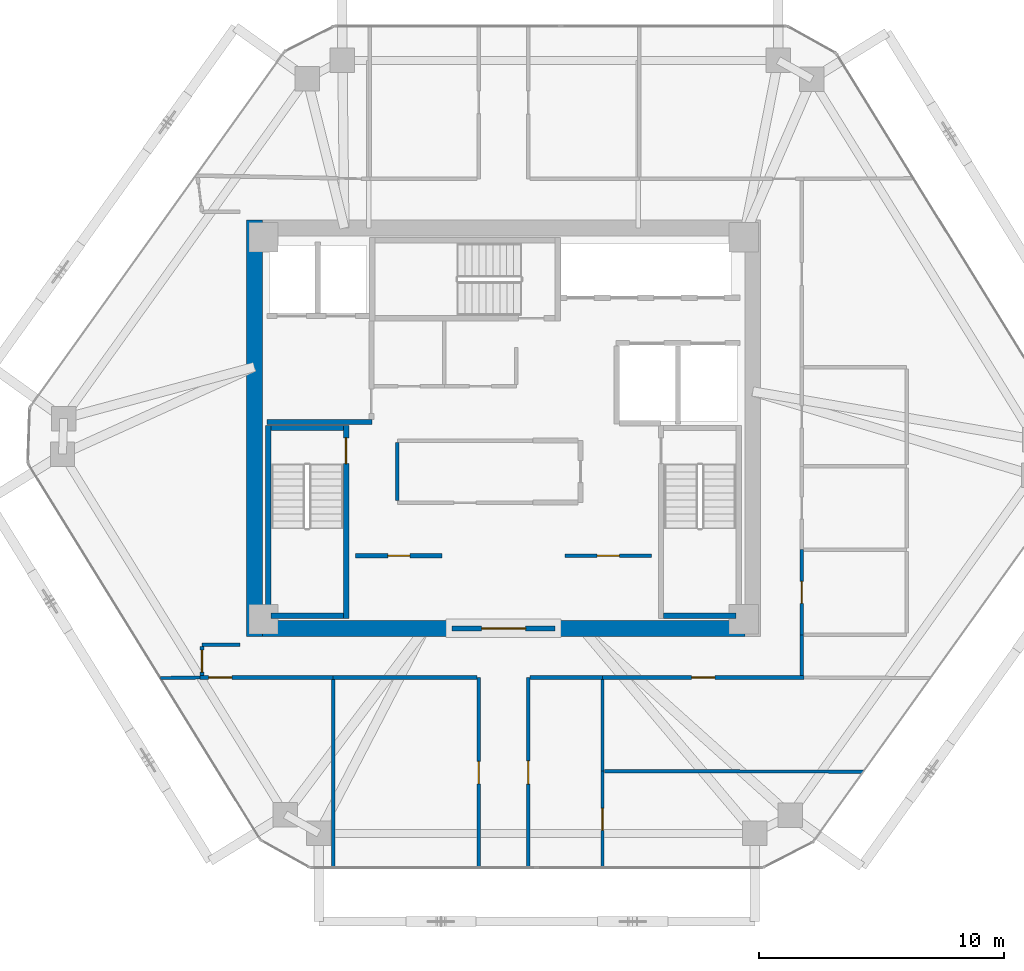
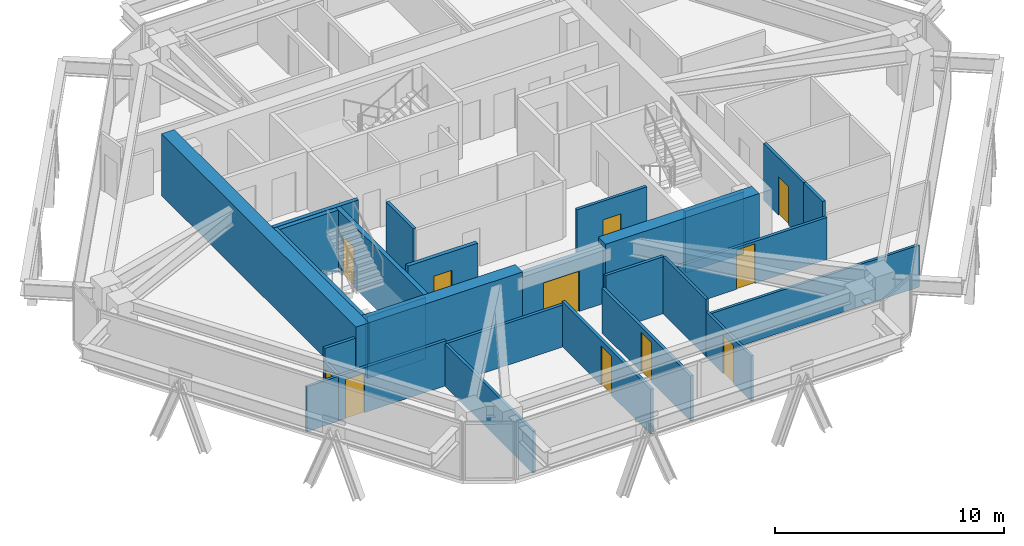
# One storey, part 10 of 14: 28 walls, 11 doors, 11 openings.
"""IFC4 building model written with IfcOpenShell, lengths in metres."""

import ifcopenshell
import ifcopenshell.guid

model = None  # the IFC model being written
_history = None  # IfcOwnerHistory: only IFC2X3 demands one
_inside = {}  # id of a spatial element -> (the spatial element, [elements in it])
_under = {}  # id of a project, library or spatial element -> (it, [spatial elements below it])
_declared = {}  # id of a project -> (the project, [libraries it declares])
_typed = {}  # id of a type object -> (the type object, [elements of that type])
_made_of = {}  # id of a material, layer set ... -> (it, [elements and type objects made of it])


def new_model(schema):
    """Start an empty IFC model of exactly this schema.

    Asked for "IFC4X3", IfcOpenShell would pick the latest addendum, in which some entities
    have other attributes; the version numbers below select the first issue.
    IFC2X3 requires an IfcOwnerHistory on every rooted entity: one is made here for all.
    """
    global model, _history
    if schema == "IFC4X3":
        model = ifcopenshell.file(schema_version=(4, 3, 0, 0))
    else:
        model = ifcopenshell.file(schema=schema)
    _inside.clear()
    _under.clear()
    _declared.clear()
    _typed.clear()
    _made_of.clear()
    _history = None
    if model.schema == "IFC2X3":
        org = make("IfcOrganization", Name="unknown")
        user = make(
            "IfcPersonAndOrganization",
            ThePerson=make("IfcPerson", FamilyName="unknown"),
            TheOrganization=org,
        )
        app = make(
            "IfcApplication",
            ApplicationDeveloper=org,
            Version="unknown",
            ApplicationFullName="unknown",
            ApplicationIdentifier="unknown",
        )
        _history = make(
            "IfcOwnerHistory",
            OwningUser=user,
            OwningApplication=app,
            ChangeAction="ADDED",
            CreationDate=0,
        )
    return model


def make(cls, **values):
    """One entity of the class cls with the attributes given. An attribute that is None is left unset."""
    return model.create_entity(
        cls, **{name: value for name, value in values.items() if value is not None}
    )


def rooted(cls, **values):
    """An entity with a GlobalId (a new one), such as an element, a storey or a relation."""
    return make(cls, GlobalId=ifcopenshell.guid.new(), OwnerHistory=_history, **values)


def si_unit(unit_type, name, prefix=None):
    """IfcSIUnit, for example si_unit("LENGTHUNIT", "METRE", prefix="MILLI")."""
    return make("IfcSIUnit", UnitType=unit_type, Prefix=prefix, Name=name)


def assignment(units):
    """IfcUnitAssignment: the units of a project."""
    return None if units is None else make("IfcUnitAssignment", Units=units)


def point(xyz):
    """IfcCartesianPoint."""
    return None if xyz is None else make("IfcCartesianPoint", Coordinates=xyz)


def direction(xyz):
    """IfcDirection."""
    return None if xyz is None else make("IfcDirection", DirectionRatios=xyz)


def frame(location, z_axis=None, x_axis=None):
    """IfcAxis2Placement3D, a coordinate frame: its origin and axes. An axis left out is left unset."""
    return make(
        "IfcAxis2Placement3D",
        Location=point(location),
        Axis=direction(z_axis),
        RefDirection=direction(x_axis),
    )


def frame_2d(location, x_axis=None):
    """IfcAxis2Placement2D, a coordinate frame in the plane: its origin and x axis."""
    return make(
        "IfcAxis2Placement2D", Location=point(location), RefDirection=direction(x_axis)
    )


def origin():
    """The frame at (0, 0, 0) with its axes left unset."""
    return frame((0.0, 0.0, 0.0))


def place(relative_to, where):
    """IfcLocalPlacement: puts the frame where relative to a parent placement (None: the world)."""
    return make(
        "IfcLocalPlacement", PlacementRelTo=relative_to, RelativePlacement=where
    )


def context(
    kind, dimensions, precision=None, world=None, true_north=None, identifier=None
):
    """IfcGeometricRepresentationContext, for example the 3D "Model" context."""
    return make(
        "IfcGeometricRepresentationContext",
        ContextIdentifier=identifier,
        ContextType=kind,
        CoordinateSpaceDimension=dimensions,
        Precision=precision,
        WorldCoordinateSystem=world,
        TrueNorth=true_north,
    )


def subcontext(parent, identifier, kind, view, scale=None):
    """IfcGeometricRepresentationSubContext, for example "Body" below "Model"."""
    return make(
        "IfcGeometricRepresentationSubContext",
        ContextIdentifier=identifier,
        ContextType=kind,
        ParentContext=parent,
        TargetScale=scale,
        TargetView=view,
    )


def project(units=None, contexts=None):
    """IfcProject with its units and contexts."""
    return rooted(
        "IfcProject",
        Name="project",
        RepresentationContexts=contexts,
        UnitsInContext=assignment(units),
    )


def spatial(cls, under=None, at=None, **own):
    """A site, building, storey or space (cls), placed at a placement, below another one or the project."""
    s = rooted(cls, ObjectPlacement=at, **own)
    if under is not None:
        _under.setdefault(under.id(), (under, []))[1].append(s)
    return s


def profile(cls, at=None, kind="AREA", **sizes):
    """A parametric profile (cls). Its sizes go by their IFC names, for example OverallWidth=200.0."""
    return make(cls, ProfileType=kind, Position=at, **sizes)


def rectangle(**sizes):
    """IfcRectangleProfileDef."""
    return profile("IfcRectangleProfileDef", **sizes)


def extrude(swept, where, along, depth):
    """IfcExtrudedAreaSolid: the profile swept, set in the frame where, extruded along a direction by depth."""
    return make(
        "IfcExtrudedAreaSolid",
        SweptArea=swept,
        Position=where,
        ExtrudedDirection=direction(along),
        Depth=depth,
    )


def shape(context_of_items, identifier, shape_type, items):
    """IfcShapeRepresentation: the items that make up one representation, for example the "Body"."""
    return make(
        "IfcShapeRepresentation",
        ContextOfItems=context_of_items,
        RepresentationIdentifier=identifier,
        RepresentationType=shape_type,
        Items=items,
    )


def source(mapping_origin, context_of_items, identifier, shape_type, items):
    """IfcRepresentationMap: a shape defined once, which mapped items show again and again."""
    return make(
        "IfcRepresentationMap",
        MappingOrigin=mapping_origin,
        MappedRepresentation=shape(context_of_items, identifier, shape_type, items),
    )


def transform(
    local_origin,
    x_axis=None,
    y_axis=None,
    z_axis=None,
    scale=None,
    scale2=None,
    scale3=None,
    uniform=True,
):
    """IfcCartesianTransformationOperator3D, or its non-uniform kind. x_axis, y_axis, z_axis: its Axis1, 2, 3."""
    if uniform:
        return make(
            "IfcCartesianTransformationOperator3D",
            Axis1=direction(x_axis),
            Axis2=direction(y_axis),
            LocalOrigin=point(local_origin),
            Scale=scale,
            Axis3=direction(z_axis),
        )
    return make(
        "IfcCartesianTransformationOperator3DnonUniform",
        Axis1=direction(x_axis),
        Axis2=direction(y_axis),
        LocalOrigin=point(local_origin),
        Scale=scale,
        Axis3=direction(z_axis),
        Scale2=scale2,
        Scale3=scale3,
    )


def mapped(mapping_source, mapping_target):
    """IfcMappedItem: shows the shape of a source again, moved by a transform."""
    return make(
        "IfcMappedItem", MappingSource=mapping_source, MappingTarget=mapping_target
    )


def material(Name=None, Category=None):
    """IfcMaterial."""
    return make("IfcMaterial", Name=Name, Category=Category)


def layer(
    of_material, thickness, ventilated=None, Name=None, Category=None, Priority=None
):
    """IfcMaterialLayer: one layer of a wall or slab, of a material (None: an air gap)."""
    return make(
        "IfcMaterialLayer",
        Material=of_material,
        LayerThickness=thickness,
        IsVentilated=ventilated,
        Name=Name,
        Category=Category,
        Priority=Priority,
    )


def layer_set(layers, Name=None):
    """IfcMaterialLayerSet."""
    return make("IfcMaterialLayerSet", MaterialLayers=layers, LayerSetName=Name)


def made_of(thing, what):
    """Note that an element or type object is made of a material, layer set ...; save() writes the relation."""
    if what is not None:
        _made_of.setdefault(what.id(), (what, []))[1].append(thing)
    return thing


def type_object(cls, material=None, **own):
    """A type object (cls), such as IfcWallType, which elements share."""
    return made_of(rooted(cls, **own), material)


def type_shapes(of_type, sources):
    """Give a type object the sources (RepresentationMaps) that its elements show as mapped items."""
    of_type.RepresentationMaps = sources


def element(
    cls,
    number,
    at=None,
    inside=None,
    cuts=None,
    type_object=None,
    material=None,
    context=None,
    identifier="Body",
    shape_type=None,
    held_by="IfcProductDefinitionShape",
    body=None,
    shapes=None,
    **own,
):
    """One element of the class cls, such as IfcWall. Its Tag is "e" and its number.

    at: its placement. inside: the storey or other place that contains it. cuts: it is an
    opening in that element (IfcRelVoidsElement). A single representation is given by context,
    identifier, shape_type and body (its items); several are given by shapes. held_by: the class
    of the entity that holds the representations. save() writes the other relations.
    """
    e = rooted(cls, Tag="e%d" % number, ObjectPlacement=at, **own)
    if body is not None:
        shapes = [shape(context, identifier, shape_type, body)]
    if shapes is not None:
        e.Representation = make(held_by, Representations=shapes)
    if inside is not None:
        _inside.setdefault(inside.id(), (inside, []))[1].append(e)
    if cuts is not None:
        rooted(
            "IfcRelVoidsElement", RelatingBuildingElement=cuts, RelatedOpeningElement=e
        )
    if type_object is not None:
        _typed.setdefault(type_object.id(), (type_object, []))[1].append(e)
    return made_of(e, material)


def fill(opening, filler):
    """IfcRelFillsElement: the door or window that sits in an opening."""
    return rooted(
        "IfcRelFillsElement",
        RelatingOpeningElement=opening,
        RelatedBuildingElement=filler,
    )


def aggregate(whole, parts):
    """IfcRelAggregates: a whole, such as a stair, and the parts it consists of."""
    return rooted("IfcRelAggregates", RelatingObject=whole, RelatedObjects=parts)


def save(model, path):
    """Write the relations noted so far, then the file.

    IfcRelAggregates (storeys below a building ...), IfcRelContainedInSpatialStructure (elements
    in a storey), IfcRelDefinesByType, IfcRelAssociatesMaterial and IfcRelDeclares: one each for
    every whole, place, type object, material and project.
    """
    for whole, parts in _under.values():
        aggregate(whole, parts)
    for where, things in _inside.values():
        rooted(
            "IfcRelContainedInSpatialStructure",
            RelatedElements=things,
            RelatingStructure=where,
        )
    for kind, things in _typed.values():
        rooted("IfcRelDefinesByType", RelatedObjects=things, RelatingType=kind)
    for what, things in _made_of.values():
        rooted("IfcRelAssociatesMaterial", RelatedObjects=things, RelatingMaterial=what)
    for by, libraries in _declared.values():
        rooted("IfcRelDeclares", RelatingContext=by, RelatedDefinitions=libraries)
    model.write(path)


model = new_model("IFC4")

# Units and contexts
model_context = context("Model", 3, precision=1e-05, world=origin(), true_north=direction((0.0, 1.0)))
body_context = subcontext(model_context, "Body", "Model", "MODEL_VIEW")
ifc_project = project(units=[si_unit("LENGTHUNIT", "METRE"), si_unit("AREAUNIT", "SQUARE_METRE"), si_unit("VOLUMEUNIT", "CUBIC_METRE"), si_unit("PLANEANGLEUNIT", "RADIAN"), si_unit("MASSUNIT", "GRAM", prefix="KILO")], contexts=[model_context])

# Site, building, storey
site_placement = place(None, origin())
site = spatial("IfcSite", under=ifc_project, at=site_placement, CompositionType="ELEMENT")
building_placement = place(site_placement, origin())
building = spatial("IfcBuilding", under=site, at=building_placement, Name="Durnholm Broadcast Tower", CompositionType="ELEMENT")
storey_placement = place(building_placement, frame((0.0, 0.0, 187.0)))
storey = spatial("IfcBuildingStorey", under=building, at=storey_placement, Name="L51", CompositionType="ELEMENT", Elevation=187.0)

# Walls
ifc_material_1 = material(Name="Concrete C70/85", Category="concrete")
ifc_layer_1 = layer(ifc_material_1, 0.64990234375)
ifc_layer_set_1 = layer_set([ifc_layer_1], Name="Concrete C70/85")
wall_type_1 = type_object("IfcWallType", Name="WALL-CW-650", PredefinedType="SHEAR", material=ifc_layer_set_1)
wall_1_placement = place(storey_placement, frame((-10.175048828125, -8.5, 0.0), z_axis=(0.0, 0.0, 1.0), x_axis=(0.0, 1.0, 0.0)))
element("IfcWall", 1, at=wall_1_placement, inside=storey, type_object=wall_type_1, Name="L51 central core shear wall CW-WEST", PredefinedType="SHEAR", context=body_context, shape_type="SweptSolid", body=[
    extrude(rectangle(XDim=17.0, YDim=0.64990234375, at=frame_2d((8.5, 0.0))), origin(), (0.0, 0.0, 1.0), 3.300048828125),
])
for number, where, z_axis, x_axis, name in (
    (2, (-9.85009765625, -8.175048828125, 0.0), (0.0, 0.0, 1.0), (1.0, 0.0, 0.0), "L51 central core shear wall CW-S1"),
    (3, (2.10009765625, -8.175048828125, 0.0), (0.0, 0.0, 1.0), (1.0, 0.0, 0.0), "L51 central core shear wall CW-S2"),
):
    element("IfcWall", number, at=place(storey_placement, frame(where, z_axis=z_axis, x_axis=x_axis)), inside=storey, type_object=wall_type_1, Name=name, PredefinedType="SHEAR", context=body_context, shape_type="SweptSolid", body=[
        extrude(rectangle(XDim=7.75, YDim=0.64990234375, at=frame_2d((3.875, 0.0))), origin(), (0.0, 0.0, 1.0), 3.300048828125),
    ])

# Wall, opening, door
ifc_material_2 = material(Name="Fire-Rated Gypsum Shaftwall", Category="concrete")
ifc_layer_2 = layer(ifc_material_2, 0.199951171875)
ifc_layer_set_2 = layer_set([ifc_layer_2], Name="Fire-Rated Gypsum Shaftwall")
wall_type_2 = type_object("IfcWallType", Name="WALL-LOB-200", PredefinedType="SOLIDWALL", material=ifc_layer_set_2)
wall_2_placement = place(storey_placement, frame((-2.10009765625, -8.175048828125, 0.0), z_axis=(0.0, 0.0, 1.0), x_axis=(1.0, 0.0, 0.0)))
wall_2 = element("IfcWall", 4, at=wall_2_placement, inside=storey, type_object=wall_type_2, Name="L51 south core lobby fire screen", PredefinedType="SOLIDWALL", context=body_context, shape_type="SweptSolid", body=[
    extrude(rectangle(XDim=4.2001953125, YDim=0.199951171875, at=frame_2d((2.10009765625, 0.0))), origin(), (0.0, 0.0, 1.0), 3.044921875),
])
opening_1_placement = place(wall_2_placement, frame((1.199951171875, 0.0, 0.0)))
opening_1 = element("IfcOpeningElement", 5, at=opening_1_placement, cuts=wall_2, Name="Opening DP-60", PredefinedType="OPENING", context=body_context, shape_type="SweptSolid", body=[
    extrude(rectangle(XDim=1.800048828125, YDim=2.14990234375, at=frame_2d((0.89990234375, 1.074951171875))), frame((0.0, 0.10986328125, 0.0), z_axis=(0.0, -1.0, 0.0), x_axis=(1.0, 0.0, 0.0)), (0.0, 0.0, 1.0), 0.219970703125),
])
ifc_material_3 = material(Name="Fire-Rated Double Corridor Door", Category="steel")
ifc_layer_3 = layer(ifc_material_3, 0.050048828125)
ifc_layer_set_3 = layer_set([ifc_layer_3], Name="Fire-Rated Double Corridor Door")
door_type_1 = type_object("IfcDoorType", Name="DOOR-PAIR-FD60", OperationType="DOUBLE_DOOR_SINGLE_SWING", PredefinedType="DOOR", material=ifc_layer_set_3)
shared_shape_1 = source(origin(), body_context, "Body", "SweptSolid", [
    extrude(rectangle(XDim=1.800048828125, YDim=2.14990234375, at=frame_2d((0.89990234375, 1.074951171875))), frame((0.0, 0.02490234375, 0.0), z_axis=(0.0, -1.0, 0.0), x_axis=(1.0, 0.0, 0.0)), (0.0, 0.0, 1.0), 0.050048828125),
])
type_shapes(door_type_1, [shared_shape_1])
door_1_placement = place(opening_1_placement, origin())
door_1 = element("IfcDoor", 6, at=door_1_placement, inside=storey, type_object=door_type_1, Name="L51 south core lobby double fire door", OperationType="DOUBLE_DOOR_SINGLE_SWING", OverallHeight=2.14990234375, OverallWidth=1.800048828125, PredefinedType="DOOR", context=body_context, shape_type="MappedRepresentation", body=[
    mapped(shared_shape_1, transform((0.0, 0.0, 0.0), x_axis=(1.0, 0.0, 0.0), y_axis=(0.0, 1.0, 0.0), z_axis=(0.0, 0.0, 1.0), scale=1.0)),
])
fill(opening_1, door_1)

# Wall
wall_3_placement = place(storey_placement, frame((-9.64990234375, 0.25, 0.0), z_axis=(0.0, 0.0, 1.0), x_axis=(1.0, 0.0, 0.0)))
element("IfcWall", 7, at=wall_3_placement, inside=storey, type_object=wall_type_2, Name="L51 Fire Service Access Elevator lobby south wall", PredefinedType="SOLIDWALL", context=body_context, shape_type="SweptSolid", body=[
    extrude(rectangle(XDim=4.27001953125, YDim=0.199951171875, at=frame_2d((2.135009765625, 0.0))), origin(), (0.0, 0.0, 1.0), 3.044921875),
])

# Wall, opening, door
wall_4_placement = place(storey_placement, frame((-6.0400390625, -5.2099609375, 0.0), z_axis=(0.0, 0.0, 1.0), x_axis=(1.0, 0.0, 0.0)))
wall_4 = element("IfcWall", 8, at=wall_4_placement, inside=storey, type_object=wall_type_2, Name="L51 Broadcast Signal Rack Room corridor partition", PredefinedType="SOLIDWALL", context=body_context, shape_type="SweptSolid", body=[
    extrude(rectangle(XDim=3.530029296875, YDim=0.199951171875, at=frame_2d((1.76513671875, 0.0))), origin(), (0.0, 0.0, 1.0), 3.044921875),
])
opening_2_placement = place(wall_4_placement, frame((1.31494140625, 0.0, 0.0)))
opening_2 = element("IfcOpeningElement", 9, at=opening_2_placement, cuts=wall_4, Name="Opening DC-60R", PredefinedType="OPENING", context=body_context, shape_type="SweptSolid", body=[
    extrude(rectangle(XDim=0.89990234375, YDim=2.050048828125, at=frame_2d((0.449951171875, 1.02490234375))), frame((0.0, 0.10986328125, 0.0), z_axis=(0.0, -1.0, 0.0), x_axis=(1.0, 0.0, 0.0)), (0.0, 0.0, 1.0), 0.219970703125),
])
ifc_material_4 = material(Name="Fire-Rated Core Service Door", Category="steel")
ifc_layer_4 = layer(ifc_material_4, 0.050048828125)
ifc_layer_set_4 = layer_set([ifc_layer_4], Name="Fire-Rated Core Service Door")
door_type_2 = type_object("IfcDoorType", Name="DOOR-CORE-FD60-R", OperationType="NOTDEFINED", PredefinedType="DOOR", material=ifc_layer_set_4)
shared_shape_2 = source(origin(), body_context, "Body", "SweptSolid", [
    extrude(rectangle(XDim=0.89990234375, YDim=2.050048828125, at=frame_2d((0.449951171875, 1.02490234375))), frame((0.0, 0.02490234375, 0.0), z_axis=(0.0, -1.0, 0.0), x_axis=(1.0, 0.0, 0.0)), (0.0, 0.0, 1.0), 0.050048828125),
])
type_shapes(door_type_2, [shared_shape_2])
door_2_placement = place(opening_2_placement, origin())
door_2 = element("IfcDoor", 10, at=door_2_placement, inside=storey, type_object=door_type_2, Name="L51 Broadcast Signal Rack Room entrance door", OperationType="SINGLE_SWING_RIGHT", OverallHeight=2.050048828125, OverallWidth=0.89990234375, PredefinedType="DOOR", context=body_context, shape_type="MappedRepresentation", body=[
    mapped(shared_shape_2, transform((0.0, 0.0, 0.0), x_axis=(1.0, 0.0, 0.0), y_axis=(0.0, 1.0, 0.0), z_axis=(0.0, 0.0, 1.0), scale=1.0)),
])
fill(opening_2, door_2)

# Walls
ifc_material_5 = material(Name="Gypsum Metal Stud Partition", Category="concrete")
ifc_layer_5 = layer(ifc_material_5, 0.135009765625)
ifc_layer_set_5 = layer_set([ifc_layer_5], Name="Gypsum Metal Stud Partition")
wall_type_3 = type_object("IfcWallType", Name="WALL-PART-135", PredefinedType="PARTITIONING", material=ifc_layer_set_5)
wall_5_placement = place(storey_placement, frame((-6.9599609375, -10.259033203125, 0.0), z_axis=(0.0, 0.0, 1.0), x_axis=(0.0, -1.0, 0.0)))
element("IfcWall", 11, at=wall_5_placement, inside=storey, type_object=wall_type_3, Name="L51 room dividing partition 14.15", PredefinedType="PARTITIONING", context=body_context, shape_type="SweptSolid", body=[
    extrude(rectangle(XDim=7.682861328125, YDim=0.135009765625, at=frame_2d((3.84130859375, 0.0))), origin(), (0.0, 0.0, 1.0), 2.24169921875),
])
wall_6_placement = place(storey_placement, frame((-14.00390625, -10.200927734375, 0.0), z_axis=(0.0, 0.0, 1.0), x_axis=(0.999923084603, 0.012402615782, 0.0)))
element("IfcWall", 12, at=wall_6_placement, inside=storey, type_object=wall_type_3, Name="L51 room dividing partition 14.19", PredefinedType="PARTITIONING", context=body_context, shape_type="SweptSolid", body=[
    extrude(rectangle(XDim=1.6142578125, YDim=0.135009765625, at=frame_2d((0.80712890625, 0.0))), origin(), (0.0, 0.0, 1.0), 2.398681640625),
])

# Wall, opening, door
wall_7_placement = place(storey_placement, frame((4.0400390625, -14.0009765625, 0.0), z_axis=(0.0, 0.0, 1.0), x_axis=(0.0, -1.0, 0.0)))
wall_7 = element("IfcWall", 13, at=wall_7_placement, inside=storey, type_object=wall_type_3, Name="L51 room dividing partition 16.17", PredefinedType="PARTITIONING", context=body_context, shape_type="SweptSolid", body=[
    extrude(rectangle(XDim=3.94091796875, YDim=0.135009765625, at=frame_2d((1.970458984375, 0.0))), origin(), (0.0, 0.0, 1.0), 2.398681640625),
])
opening_3_placement = place(wall_7_placement, frame((1.5205078125, 0.0, 0.0)))
opening_3 = element("IfcOpeningElement", 14, at=opening_3_placement, cuts=wall_7, Name="Opening DW-90L", PredefinedType="OPENING", context=body_context, shape_type="SweptSolid", body=[
    extrude(rectangle(XDim=0.89990234375, YDim=2.050048828125, at=frame_2d((0.449951171875, 1.02490234375))), frame((0.0, 0.07763671875, 0.0), z_axis=(0.0, -1.0, 0.0), x_axis=(1.0, 0.0, 0.0)), (0.0, 0.0, 1.0), 0.155029296875),
])
ifc_material_6 = material(Name="Laminate Restroom Door", Category="steel")
ifc_layer_6 = layer(ifc_material_6, 0.050048828125)
ifc_layer_set_6 = layer_set([ifc_layer_6], Name="Laminate Restroom Door")
door_type_3 = type_object("IfcDoorType", Name="DOOR-WC-900L", OperationType="NOTDEFINED", PredefinedType="DOOR", material=ifc_layer_set_6)
shared_shape_3 = source(origin(), body_context, "Body", "SweptSolid", [
    extrude(rectangle(XDim=0.89990234375, YDim=2.050048828125, at=frame_2d((0.449951171875, 1.02490234375))), frame((0.0, 0.02490234375, 0.0), z_axis=(0.0, -1.0, 0.0), x_axis=(1.0, 0.0, 0.0)), (0.0, 0.0, 1.0), 0.050048828125),
])
type_shapes(door_type_3, [shared_shape_3])
door_3_placement = place(opening_3_placement, origin())
door_3 = element("IfcDoor", 15, at=door_3_placement, inside=storey, type_object=door_type_3, Name="L51 Open Plan Broadcast Workspace 3 connecting door", OperationType="SINGLE_SWING_LEFT", OverallHeight=2.050048828125, OverallWidth=0.89990234375, PredefinedType="DOOR", context=body_context, shape_type="MappedRepresentation", body=[
    mapped(shared_shape_3, transform((0.0, 0.0, 0.0), x_axis=(1.0, 0.0, 0.0), y_axis=(0.0, 1.0, 0.0), z_axis=(0.0, 0.0, 1.0), scale=1.0)),
])
fill(opening_3, door_3)

# Walls
wall_8_placement = place(storey_placement, frame((4.0400390625, -10.259033203125, 0.0), z_axis=(0.0, 0.0, 1.0), x_axis=(0.0, -1.0, 0.0)))
element("IfcWall", 16, at=wall_8_placement, inside=storey, type_object=wall_type_3, Name="L51 room dividing partition 16.18", PredefinedType="PARTITIONING", context=body_context, shape_type="SweptSolid", body=[
    extrude(rectangle(XDim=3.741943359375, YDim=0.135009765625, at=frame_2d((1.87109375, 0.0))), origin(), (0.0, 0.0, 1.0), 3.044921875),
])
wall_9_placement = place(storey_placement, frame((4.111572265625, -14.001220703125, 0.0), z_axis=(0.0, 0.0, 1.0), x_axis=(0.999997597863, -0.002191864053, 0.0)))
element("IfcWall", 17, at=wall_9_placement, inside=storey, type_object=wall_type_3, Name="L51 room dividing partition 17.18", PredefinedType="PARTITIONING", context=body_context, shape_type="SweptSolid", body=[
    extrude(rectangle(XDim=10.58154296875, YDim=0.135009765625, at=frame_2d((5.290771484375, 0.0))), origin(), (0.0, 0.0, 1.0), 2.24169921875),
])

# Wall, opening, door
ifc_material_7 = material(Name="Acoustic Gypsum Stud Partition", Category="concrete")
ifc_layer_7 = layer(ifc_material_7, 0.14990234375)
ifc_layer_set_7 = layer_set([ifc_layer_7], Name="Acoustic Gypsum Stud Partition")
wall_type_4 = type_object("IfcWallType", Name="WALL-PART-150", PredefinedType="PARTITIONING", material=ifc_layer_set_7)
wall_10_placement = place(storey_placement, frame((2.510009765625, -5.2099609375, 0.0), z_axis=(0.0, 0.0, 1.0), x_axis=(1.0, 0.0, 0.0)))
wall_10 = element("IfcWall", 18, at=wall_10_placement, inside=storey, type_object=wall_type_4, Name="L51 Editorial Beverage Pantry corridor partition", PredefinedType="PARTITIONING", context=body_context, shape_type="SweptSolid", body=[
    extrude(rectangle(XDim=3.530029296875, YDim=0.14990234375, at=frame_2d((1.76513671875, 0.0))), origin(), (0.0, 0.0, 1.0), 3.044921875),
])
opening_4_placement = place(wall_10_placement, frame((1.31494140625, 0.0, 0.0)))
opening_4 = element("IfcOpeningElement", 19, at=opening_4_placement, cuts=wall_10, Name="Opening DC-60L", PredefinedType="OPENING", context=body_context, shape_type="SweptSolid", body=[
    extrude(rectangle(XDim=0.89990234375, YDim=2.050048828125, at=frame_2d((0.449951171875, 1.02490234375))), frame((0.0, 0.0849609375, 0.0), z_axis=(0.0, -1.0, 0.0), x_axis=(1.0, 0.0, 0.0)), (0.0, 0.0, 1.0), 0.169921875),
])
ifc_layer_8 = layer(ifc_material_4, 0.050048828125)
ifc_layer_set_8 = layer_set([ifc_layer_8], Name="Fire-Rated Core Service Door")
door_type_4 = type_object("IfcDoorType", Name="DOOR-CORE-FD60-L", OperationType="NOTDEFINED", PredefinedType="DOOR", material=ifc_layer_set_8)
shared_shape_4 = source(origin(), body_context, "Body", "SweptSolid", [
    extrude(rectangle(XDim=0.89990234375, YDim=2.050048828125, at=frame_2d((0.449951171875, 1.02490234375))), frame((0.0, 0.02490234375, 0.0), z_axis=(0.0, -1.0, 0.0), x_axis=(1.0, 0.0, 0.0)), (0.0, 0.0, 1.0), 0.050048828125),
])
type_shapes(door_type_4, [shared_shape_4])
door_4_placement = place(opening_4_placement, origin())
door_4 = element("IfcDoor", 20, at=door_4_placement, inside=storey, type_object=door_type_4, Name="L51 Editorial Beverage Pantry entrance door", OperationType="SINGLE_SWING_LEFT", OverallHeight=2.050048828125, OverallWidth=0.89990234375, PredefinedType="DOOR", context=body_context, shape_type="MappedRepresentation", body=[
    mapped(shared_shape_4, transform((0.0, 0.0, 0.0), x_axis=(1.0, 0.0, 0.0), y_axis=(0.0, 1.0, 0.0), z_axis=(0.0, 0.0, 1.0), scale=1.0)),
])
fill(opening_4, door_4)

# Wall
wall_11_placement = place(storey_placement, frame((-4.340087890625, -2.9609375, 0.0), z_axis=(0.0, 0.0, 1.0), x_axis=(0.0, 1.0, 0.0)))
element("IfcWall", 21, at=wall_11_placement, inside=storey, type_object=wall_type_4, Name="L51 Broadcast Equipment Store corridor partition", PredefinedType="PARTITIONING", context=body_context, shape_type="SweptSolid", body=[
    extrude(rectangle(XDim=2.371826171875, YDim=0.14990234375, at=frame_2d((1.18603515625, 0.0))), origin(), (0.0, 0.0, 1.0), 3.044921875),
])

# Wall, opening, door
wall_12_placement = place(storey_placement, frame((-12.389892578125, -10.179931640625, 0.0), z_axis=(0.0, 0.0, 1.0), x_axis=(1.0, 0.0, 0.0)))
wall_12 = element("IfcWall", 22, at=wall_12_placement, inside=storey, type_object=wall_type_4, Name="L51 Open Plan Broadcast Workspace 6 corridor partition", PredefinedType="PARTITIONING", context=body_context, shape_type="SweptSolid", body=[
    extrude(rectangle(XDim=5.429931640625, YDim=0.14990234375, at=frame_2d((2.71484375, 0.0))), origin(), (0.0, 0.0, 1.0), 2.398681640625),
])
opening_5_placement = place(wall_12_placement, frame((0.35009765625, 0.0, 0.0)))
opening_5 = element("IfcOpeningElement", 23, at=opening_5_placement, cuts=wall_12, Name="Opening DR-95L", PredefinedType="OPENING", context=body_context, shape_type="SweptSolid", body=[
    extrude(rectangle(XDim=0.949951171875, YDim=2.10009765625, at=frame_2d((0.47509765625, 1.050048828125))), frame((0.0, 0.0849609375, 0.0), z_axis=(0.0, -1.0, 0.0), x_axis=(1.0, 0.0, 0.0)), (0.0, 0.0, 1.0), 0.169921875),
])
ifc_material_8 = material(Name="Acoustic Oak Veneer Timber Door", Category="wood")
ifc_layer_9 = layer(ifc_material_8, 0.050048828125)
ifc_layer_set_9 = layer_set([ifc_layer_9], Name="Acoustic Oak Veneer Timber Door")
door_type_5 = type_object("IfcDoorType", Name="DOOR-RM-950L", OperationType="NOTDEFINED", PredefinedType="DOOR", material=ifc_layer_set_9)
shared_shape_5 = source(origin(), body_context, "Body", "SweptSolid", [
    extrude(rectangle(XDim=0.949951171875, YDim=2.10009765625, at=frame_2d((0.47509765625, 1.050048828125))), frame((0.0, 0.02490234375, 0.0), z_axis=(0.0, -1.0, 0.0), x_axis=(1.0, 0.0, 0.0)), (0.0, 0.0, 1.0), 0.050048828125),
])
type_shapes(door_type_5, [shared_shape_5])
door_5_placement = place(opening_5_placement, origin())
door_5 = element("IfcDoor", 24, at=door_5_placement, inside=storey, type_object=door_type_5, Name="L51 Open Plan Broadcast Workspace 6 entrance door", OperationType="SINGLE_SWING_LEFT", OverallHeight=2.10009765625, OverallWidth=0.949951171875, PredefinedType="DOOR", context=body_context, shape_type="MappedRepresentation", body=[
    mapped(shared_shape_5, transform((0.0, 0.0, 0.0), x_axis=(1.0, 0.0, 0.0), y_axis=(0.0, 1.0, 0.0), z_axis=(0.0, 0.0, 1.0), scale=1.0)),
])
fill(opening_5, door_5)

wall_13_placement = place(storey_placement, frame((-1.010009765625, -10.179931640625, 0.0), z_axis=(0.0, 0.0, 1.0), x_axis=(0.0, -1.0, 0.0)))
wall_13 = element("IfcWall", 25, at=wall_13_placement, inside=storey, type_object=wall_type_4, Name="L51 Barista Kitchen corridor partition", PredefinedType="PARTITIONING", context=body_context, shape_type="SweptSolid", body=[
    extrude(rectangle(XDim=7.761962890625, YDim=0.14990234375, at=frame_2d((3.880859375, 0.0))), origin(), (0.0, 0.0, 1.0), 2.398681640625),
])
opening_6_placement = place(wall_13_placement, frame((3.4208984375, 0.0, 0.0)))
opening_6 = element("IfcOpeningElement", 26, at=opening_6_placement, cuts=wall_13, Name="Opening DR-92R", PredefinedType="OPENING", context=body_context, shape_type="SweptSolid", body=[
    extrude(rectangle(XDim=0.919921875, YDim=2.10009765625, at=frame_2d((0.4599609375, 1.050048828125))), frame((0.0, 0.0849609375, 0.0), z_axis=(0.0, -1.0, 0.0), x_axis=(1.0, 0.0, 0.0)), (0.0, 0.0, 1.0), 0.169921875),
])
ifc_material_9 = material(Name="Oak Veneer Office Door", Category="wood")
ifc_layer_10 = layer(ifc_material_9, 0.050048828125)
ifc_layer_set_10 = layer_set([ifc_layer_10], Name="Oak Veneer Office Door")
door_type_6 = type_object("IfcDoorType", Name="DOOR-RM-920R", OperationType="NOTDEFINED", PredefinedType="DOOR", material=ifc_layer_set_10)
shared_shape_6 = source(origin(), body_context, "Body", "SweptSolid", [
    extrude(rectangle(XDim=0.919921875, YDim=2.10009765625, at=frame_2d((0.4599609375, 1.050048828125))), frame((0.0, 0.02490234375, 0.0), z_axis=(0.0, -1.0, 0.0), x_axis=(1.0, 0.0, 0.0)), (0.0, 0.0, 1.0), 0.050048828125),
])
type_shapes(door_type_6, [shared_shape_6])
door_6_placement = place(opening_6_placement, origin())
door_6 = element("IfcDoor", 27, at=door_6_placement, inside=storey, type_object=door_type_6, Name="L51 Barista Kitchen entrance door", OperationType="SINGLE_SWING_RIGHT", OverallHeight=2.10009765625, OverallWidth=0.919921875, PredefinedType="DOOR", context=body_context, shape_type="MappedRepresentation", body=[
    mapped(shared_shape_6, transform((0.0, 0.0, 0.0), x_axis=(1.0, 0.0, 0.0), y_axis=(0.0, 1.0, 0.0), z_axis=(0.0, 0.0, 1.0), scale=1.0)),
])
fill(opening_6, door_6)

# Wall
wall_14_placement = place(storey_placement, frame((-6.9599609375, -10.179931640625, 0.0), z_axis=(0.0, 0.0, 1.0), x_axis=(1.0, 0.0, 0.0)))
element("IfcWall", 28, at=wall_14_placement, inside=storey, type_object=wall_type_4, Name="L51 Barista Kitchen corridor partition", PredefinedType="PARTITIONING", context=body_context, shape_type="SweptSolid", body=[
    extrude(rectangle(XDim=5.870849609375, YDim=0.14990234375, at=frame_2d((2.935546875, 0.0))), origin(), (0.0, 0.0, 1.0), 2.24169921875),
])

# Wall, opening, door
wall_15_placement = place(storey_placement, frame((1.010009765625, -17.94189453125, 0.0), z_axis=(0.0, 0.0, 1.0), x_axis=(0.0, 1.0, 0.0)))
wall_15 = element("IfcWall", 29, at=wall_15_placement, inside=storey, type_object=wall_type_4, Name="L51 Design Critique Lounge corridor partition", PredefinedType="PARTITIONING", context=body_context, shape_type="SweptSolid", body=[
    extrude(rectangle(XDim=7.761962890625, YDim=0.14990234375, at=frame_2d((3.880859375, 0.0))), origin(), (0.0, 0.0, 1.0), 2.398681640625),
])
opening_7_placement = place(wall_15_placement, frame((3.406005859375, 0.0, 0.0)))
opening_7 = element("IfcOpeningElement", 30, at=opening_7_placement, cuts=wall_15, Name="Opening DR-95L", PredefinedType="OPENING", context=body_context, shape_type="SweptSolid", body=[
    extrude(rectangle(XDim=0.949951171875, YDim=2.10009765625, at=frame_2d((0.47509765625, 1.050048828125))), frame((0.0, 0.0849609375, 0.0), z_axis=(0.0, -1.0, 0.0), x_axis=(1.0, 0.0, 0.0)), (0.0, 0.0, 1.0), 0.169921875),
])
door_7_placement = place(opening_7_placement, origin())
door_7 = element("IfcDoor", 31, at=door_7_placement, inside=storey, type_object=door_type_5, Name="L51 Design Critique Lounge entrance door", OperationType="SINGLE_SWING_LEFT", OverallHeight=2.10009765625, OverallWidth=0.949951171875, PredefinedType="DOOR", context=body_context, shape_type="MappedRepresentation", body=[
    mapped(shared_shape_5, transform((0.0, 0.0, 0.0), x_axis=(1.0, 0.0, 0.0), y_axis=(0.0, 1.0, 0.0), z_axis=(0.0, 0.0, 1.0), scale=1.0)),
])
fill(opening_7, door_7)

# Wall
wall_16_placement = place(storey_placement, frame((1.089111328125, -10.179931640625, 0.0), z_axis=(0.0, 0.0, 1.0), x_axis=(1.0, 0.0, 0.0)))
element("IfcWall", 32, at=wall_16_placement, inside=storey, type_object=wall_type_4, Name="L51 Design Critique Lounge corridor partition", PredefinedType="PARTITIONING", context=body_context, shape_type="SweptSolid", body=[
    extrude(rectangle(XDim=2.950927734375, YDim=0.14990234375, at=frame_2d((1.4755859375, 0.0))), origin(), (0.0, 0.0, 1.0), 3.044921875),
])

# Wall, opening, door
wall_17_placement = place(storey_placement, frame((4.0400390625, -10.179931640625, 0.0), z_axis=(0.0, 0.0, 1.0), x_axis=(1.0, 0.0, 0.0)))
wall_17 = element("IfcWall", 33, at=wall_17_placement, inside=storey, type_object=wall_type_4, Name="L51 Subscriber Viewing Lounge 2 corridor partition", PredefinedType="PARTITIONING", context=body_context, shape_type="SweptSolid", body=[
    extrude(rectangle(XDim=8.219970703125, YDim=0.14990234375, at=frame_2d((4.10986328125, 0.0))), origin(), (0.0, 0.0, 1.0), 2.24169921875),
])
opening_8_placement = place(wall_17_placement, frame((3.635009765625, 0.0, 0.0)))
opening_8 = element("IfcOpeningElement", 34, at=opening_8_placement, cuts=wall_17, Name="Opening DR-95R", PredefinedType="OPENING", context=body_context, shape_type="SweptSolid", body=[
    extrude(rectangle(XDim=0.949951171875, YDim=2.10009765625, at=frame_2d((0.47509765625, 1.050048828125))), frame((0.0, 0.0849609375, 0.0), z_axis=(0.0, -1.0, 0.0), x_axis=(1.0, 0.0, 0.0)), (0.0, 0.0, 1.0), 0.169921875),
])
ifc_layer_11 = layer(ifc_material_8, 0.050048828125)
ifc_layer_set_11 = layer_set([ifc_layer_11], Name="Acoustic Oak Veneer Timber Door")
door_type_7 = type_object("IfcDoorType", Name="DOOR-RM-950R", OperationType="NOTDEFINED", PredefinedType="DOOR", material=ifc_layer_set_11)
shared_shape_7 = source(origin(), body_context, "Body", "SweptSolid", [
    extrude(rectangle(XDim=0.949951171875, YDim=2.10009765625, at=frame_2d((0.47509765625, 1.050048828125))), frame((0.0, 0.02490234375, 0.0), z_axis=(0.0, -1.0, 0.0), x_axis=(1.0, 0.0, 0.0)), (0.0, 0.0, 1.0), 0.050048828125),
])
type_shapes(door_type_7, [shared_shape_7])
door_8_placement = place(opening_8_placement, origin())
door_8 = element("IfcDoor", 35, at=door_8_placement, inside=storey, type_object=door_type_7, Name="L51 Subscriber Viewing Lounge 2 entrance door", OperationType="SINGLE_SWING_RIGHT", OverallHeight=2.10009765625, OverallWidth=0.949951171875, PredefinedType="DOOR", context=body_context, shape_type="MappedRepresentation", body=[
    mapped(shared_shape_7, transform((0.0, 0.0, 0.0), x_axis=(1.0, 0.0, 0.0), y_axis=(0.0, 1.0, 0.0), z_axis=(0.0, 0.0, 1.0), scale=1.0)),
])
fill(opening_8, door_8)

# Wall
wall_18_placement = place(storey_placement, frame((-10.760009765625, -8.840087890625, 0.0), z_axis=(0.0, 0.0, 1.0), x_axis=(-1.0, 0.0, 0.0)))
element("IfcWall", 36, at=wall_18_placement, inside=storey, type_object=wall_type_4, Name="L51 Subscriber Viewing Lounge 3 corridor partition", PredefinedType="PARTITIONING", context=body_context, shape_type="SweptSolid", body=[
    extrude(rectangle(XDim=1.550048828125, YDim=0.14990234375, at=frame_2d((0.77490234375, 0.0))), origin(), (0.0, 0.0, 1.0), 3.044921875),
])

# Wall, opening, door
wall_19_placement = place(storey_placement, frame((-12.31005859375, -8.9189453125, 0.0), z_axis=(0.0, 0.0, 1.0), x_axis=(0.0, -1.0, 0.0)))
wall_19 = element("IfcWall", 37, at=wall_19_placement, inside=storey, type_object=wall_type_4, Name="L51 Subscriber Viewing Lounge 3 corridor partition", PredefinedType="PARTITIONING", context=body_context, shape_type="SweptSolid", body=[
    extrude(rectangle(XDim=1.18212890625, YDim=0.14990234375, at=frame_2d((0.591064453125, 0.0))), origin(), (0.0, 0.0, 1.0), 2.398681640625),
])
opening_9_placement = place(wall_19_placement, frame((0.14111328125, 0.0, 0.0)))
opening_9 = element("IfcOpeningElement", 38, at=opening_9_placement, cuts=wall_19, Name="Opening DW-90R", PredefinedType="OPENING", context=body_context, shape_type="SweptSolid", body=[
    extrude(rectangle(XDim=0.89990234375, YDim=2.050048828125, at=frame_2d((0.449951171875, 1.02490234375))), frame((0.0, 0.0849609375, 0.0), z_axis=(0.0, -1.0, 0.0), x_axis=(1.0, 0.0, 0.0)), (0.0, 0.0, 1.0), 0.169921875),
])
ifc_layer_12 = layer(ifc_material_6, 0.050048828125)
ifc_layer_set_12 = layer_set([ifc_layer_12], Name="Laminate Restroom Door")
door_type_8 = type_object("IfcDoorType", Name="DOOR-WC-900R", OperationType="NOTDEFINED", PredefinedType="DOOR", material=ifc_layer_set_12)
shared_shape_8 = source(origin(), body_context, "Body", "SweptSolid", [
    extrude(rectangle(XDim=0.89990234375, YDim=2.050048828125, at=frame_2d((0.449951171875, 1.02490234375))), frame((0.0, 0.02490234375, 0.0), z_axis=(0.0, -1.0, 0.0), x_axis=(1.0, 0.0, 0.0)), (0.0, 0.0, 1.0), 0.050048828125),
])
type_shapes(door_type_8, [shared_shape_8])
door_9_placement = place(opening_9_placement, origin())
door_9 = element("IfcDoor", 39, at=door_9_placement, inside=storey, type_object=door_type_8, Name="L51 Subscriber Viewing Lounge 3 entrance door", OperationType="SINGLE_SWING_RIGHT", OverallHeight=2.050048828125, OverallWidth=0.89990234375, PredefinedType="DOOR", context=body_context, shape_type="MappedRepresentation", body=[
    mapped(shared_shape_8, transform((0.0, 0.0, 0.0), x_axis=(1.0, 0.0, 0.0), y_axis=(0.0, 1.0, 0.0), z_axis=(0.0, 0.0, 1.0), scale=1.0)),
])
fill(opening_9, door_9)

# Wall
wall_20_placement = place(storey_placement, frame((12.179931640625, -10.10107421875, 0.0), z_axis=(0.0, 0.0, 1.0), x_axis=(0.0, 1.0, 0.0)))
element("IfcWall", 40, at=wall_20_placement, inside=storey, type_object=wall_type_4, Name="L51 Open Plan Broadcast Workspace 1 corridor partition", PredefinedType="PARTITIONING", context=body_context, shape_type="SweptSolid", body=[
    extrude(rectangle(XDim=1.6611328125, YDim=0.14990234375, at=frame_2d((0.83056640625, 0.0))), origin(), (0.0, 0.0, 1.0), 3.044921875),
])

# Wall, opening, door
ifc_material_10 = material(Name="Concrete C50/60", Category="concrete")
ifc_layer_13 = layer(ifc_material_10, 0.219970703125)
ifc_layer_set_13 = layer_set([ifc_layer_13], Name="Concrete C50/60")
wall_type_5 = type_object("IfcWallType", Name="WALL-SW-220", PredefinedType="SHEAR", material=ifc_layer_set_13)
wall_21_placement = place(storey_placement, frame((-6.429931640625, -7.77001953125, -0.239990234375), z_axis=(0.0, 0.0, 1.0), x_axis=(0.0, 1.0, 0.0)))
wall_21 = element("IfcWall", 41, at=wall_21_placement, inside=storey, type_object=wall_type_5, Name="L51 stair ST-1 structural shaft wall E", PredefinedType="SHEAR", context=body_context, shape_type="SweptSolid", body=[
    extrude(rectangle(XDim=7.89013671875, YDim=0.219970703125, at=frame_2d((3.945068359375, 0.0))), origin(), (0.0, 0.0, 1.0), 3.300048828125),
])
opening_10_placement = place(wall_21_placement, frame((6.320068359375, 0.0, 0.0)))
opening_10 = element("IfcOpeningElement", 42, at=opening_10_placement, cuts=wall_21, Name="Opening DS-90L", PredefinedType="OPENING", context=body_context, shape_type="SweptSolid", body=[
    extrude(rectangle(XDim=1.050048828125, YDim=2.14990234375, at=frame_2d((0.52490234375, 1.074951171875))), frame((0.0, 0.1201171875, 0.0), z_axis=(0.0, -1.0, 0.0), x_axis=(1.0, 0.0, 0.0)), (0.0, 0.0, 1.0), 0.239990234375),
])
ifc_material_11 = material(Name="Fire-Rated Steel Door", Category="steel")
ifc_layer_14 = layer(ifc_material_11, 0.050048828125)
ifc_layer_set_14 = layer_set([ifc_layer_14], Name="Fire-Rated Steel Door")
door_type_9 = type_object("IfcDoorType", Name="DOOR-ST-FD90-L", OperationType="NOTDEFINED", PredefinedType="DOOR", material=ifc_layer_set_14)
shared_shape_9 = source(origin(), body_context, "Body", "SweptSolid", [
    extrude(rectangle(XDim=1.050048828125, YDim=2.14990234375, at=frame_2d((0.52490234375, 1.074951171875))), frame((0.0, 0.02490234375, 0.0), z_axis=(0.0, -1.0, 0.0), x_axis=(1.0, 0.0, 0.0)), (0.0, 0.0, 1.0), 0.050048828125),
])
type_shapes(door_type_9, [shared_shape_9])
door_10_placement = place(opening_10_placement, origin())
door_10 = element("IfcDoor", 43, at=door_10_placement, inside=storey, type_object=door_type_9, Name="L51 exit stair ST-1 fire door", OperationType="SINGLE_SWING_LEFT", OverallHeight=2.14990234375, OverallWidth=1.050048828125, PredefinedType="DOOR", context=body_context, shape_type="MappedRepresentation", body=[
    mapped(shared_shape_9, transform((0.0, 0.0, 0.0), x_axis=(1.0, 0.0, 0.0), y_axis=(0.0, 1.0, 0.0), z_axis=(0.0, 0.0, 1.0), scale=1.0)),
])
fill(opening_10, door_10)

# Walls
wall_22_placement = place(storey_placement, frame((-9.610107421875, 0.1201171875, -0.239990234375), z_axis=(0.0, 0.0, 1.0), x_axis=(0.0, -1.0, 0.0)))
element("IfcWall", 44, at=wall_22_placement, inside=storey, type_object=wall_type_5, Name="L51 stair ST-1 structural shaft wall W", PredefinedType="SHEAR", context=body_context, shape_type="SweptSolid", body=[
    extrude(rectangle(XDim=7.89013671875, YDim=0.219970703125, at=frame_2d((3.945068359375, 0.0))), origin(), (0.0, 0.0, 1.0), 3.300048828125),
])
for number, where, z_axis, x_axis, name in (
    (45, (-9.5, -7.659912109375, -0.239990234375), (0.0, 0.0, 1.0), (1.0, 0.0, 0.0), "L51 stair ST-1 structural shaft wall S"),
    (46, (-6.5400390625, 0.010009765625, -0.239990234375), (0.0, 0.0, 1.0), (-1.0, 0.0, 0.0), "L51 stair ST-1 structural shaft wall N"),
    (47, (6.5400390625, -7.659912109375, -0.239990234375), (0.0, 0.0, 1.0), (1.0, 0.0, 0.0), "L51 stair ST-2 structural shaft wall S"),
):
    element("IfcWall", number, at=place(storey_placement, frame(where, z_axis=z_axis, x_axis=x_axis)), inside=storey, type_object=wall_type_5, Name=name, PredefinedType="SHEAR", context=body_context, shape_type="SweptSolid", body=[
        extrude(rectangle(XDim=2.9599609375, YDim=0.219970703125, at=frame_2d((1.47998046875, 0.0))), origin(), (0.0, 0.0, 1.0), 3.300048828125),
    ])

# Wall, opening, door
ifc_material_12 = material(Name="Moisture-Resistant Tile Partition", Category="concrete")
ifc_layer_15 = layer(ifc_material_12, 0.139892578125)
ifc_layer_set_15 = layer_set([ifc_layer_15], Name="Moisture-Resistant Tile Partition")
wall_type_6 = type_object("IfcWallType", Name="WALL-WC-140", PredefinedType="PARTITIONING", material=ifc_layer_set_15)
wall_23_placement = place(storey_placement, frame((12.179931640625, -8.43994140625, 0.0), z_axis=(0.0, 0.0, 1.0), x_axis=(0.0, 1.0, 0.0)))
wall_23 = element("IfcWall", 48, at=wall_23_placement, inside=storey, type_object=wall_type_6, Name="L51 Men's Restroom corridor partition", PredefinedType="PARTITIONING", context=body_context, shape_type="SweptSolid", body=[
    extrude(rectangle(XDim=3.47998046875, YDim=0.139892578125, at=frame_2d((1.739990234375, 0.0))), origin(), (0.0, 0.0, 1.0), 3.044921875),
])
opening_11_placement = place(wall_23_placement, frame((1.2900390625, 0.0, 0.0)))
opening_11 = element("IfcOpeningElement", 49, at=opening_11_placement, cuts=wall_23, Name="Opening DW-90R", PredefinedType="OPENING", context=body_context, shape_type="SweptSolid", body=[
    extrude(rectangle(XDim=0.89990234375, YDim=2.050048828125, at=frame_2d((0.449951171875, 1.02490234375))), frame((0.0, 0.080078125, 0.0), z_axis=(0.0, -1.0, 0.0), x_axis=(1.0, 0.0, 0.0)), (0.0, 0.0, 1.0), 0.159912109375),
])
door_11_placement = place(opening_11_placement, origin())
door_11 = element("IfcDoor", 50, at=door_11_placement, inside=storey, type_object=door_type_8, Name="L51 Men's Restroom entrance door", OperationType="SINGLE_SWING_RIGHT", OverallHeight=2.050048828125, OverallWidth=0.89990234375, PredefinedType="DOOR", context=body_context, shape_type="MappedRepresentation", body=[
    mapped(shared_shape_8, transform((0.0, 0.0, 0.0), x_axis=(1.0, 0.0, 0.0), y_axis=(0.0, 1.0, 0.0), z_axis=(0.0, 0.0, 1.0), scale=1.0)),
])
fill(opening_11, door_11)

save(model, "model.ifc")
